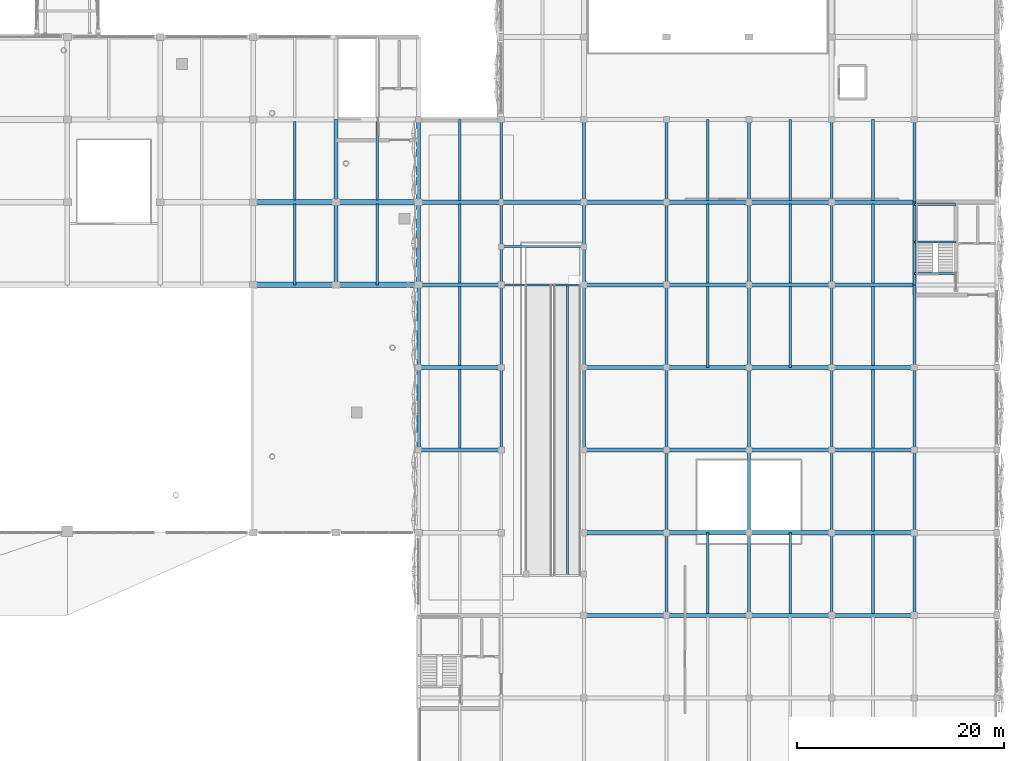
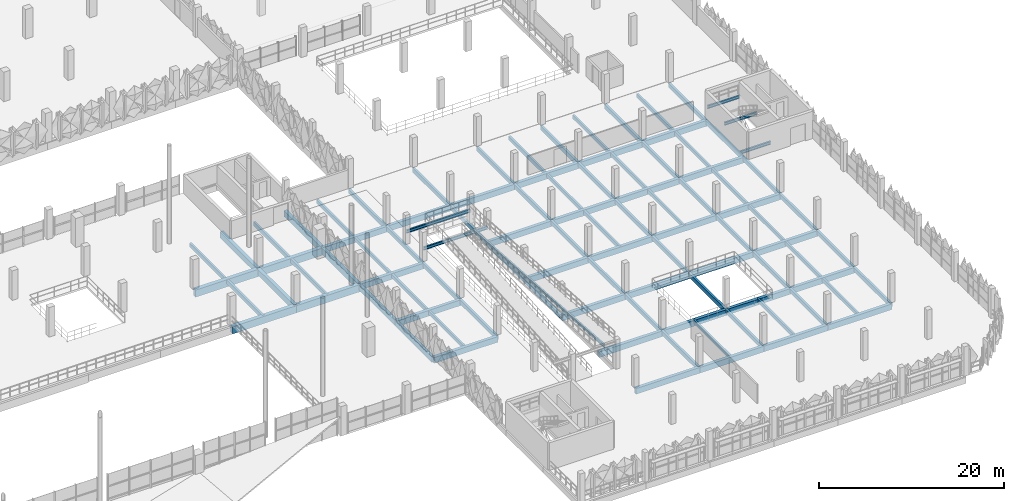
# One storey, part 45 of 123: 99 beams.
"""IFC4 building model written with IfcOpenShell, lengths in metres."""

import ifcopenshell
import ifcopenshell.guid

model = None  # the IFC model being written
_history = None  # IfcOwnerHistory: only IFC2X3 demands one
_inside = {}  # id of a spatial element -> (the spatial element, [elements in it])
_under = {}  # id of a project, library or spatial element -> (it, [spatial elements below it])
_declared = {}  # id of a project -> (the project, [libraries it declares])
_typed = {}  # id of a type object -> (the type object, [elements of that type])
_made_of = {}  # id of a material, layer set ... -> (it, [elements and type objects made of it])


def new_model(schema):
    """Start an empty IFC model of exactly this schema.

    Asked for "IFC4X3", IfcOpenShell would pick the latest addendum, in which some entities
    have other attributes; the version numbers below select the first issue.
    IFC2X3 requires an IfcOwnerHistory on every rooted entity: one is made here for all.
    """
    global model, _history
    if schema == "IFC4X3":
        model = ifcopenshell.file(schema_version=(4, 3, 0, 0))
    else:
        model = ifcopenshell.file(schema=schema)
    _inside.clear()
    _under.clear()
    _declared.clear()
    _typed.clear()
    _made_of.clear()
    _history = None
    if model.schema == "IFC2X3":
        org = make("IfcOrganization", Name="unknown")
        user = make(
            "IfcPersonAndOrganization",
            ThePerson=make("IfcPerson", FamilyName="unknown"),
            TheOrganization=org,
        )
        app = make(
            "IfcApplication",
            ApplicationDeveloper=org,
            Version="unknown",
            ApplicationFullName="unknown",
            ApplicationIdentifier="unknown",
        )
        _history = make(
            "IfcOwnerHistory",
            OwningUser=user,
            OwningApplication=app,
            ChangeAction="ADDED",
            CreationDate=0,
        )
    return model


def make(cls, **values):
    """One entity of the class cls with the attributes given. An attribute that is None is left unset."""
    return model.create_entity(
        cls, **{name: value for name, value in values.items() if value is not None}
    )


def rooted(cls, **values):
    """An entity with a GlobalId (a new one), such as an element, a storey or a relation."""
    return make(cls, GlobalId=ifcopenshell.guid.new(), OwnerHistory=_history, **values)


def si_unit(unit_type, name, prefix=None):
    """IfcSIUnit, for example si_unit("LENGTHUNIT", "METRE", prefix="MILLI")."""
    return make("IfcSIUnit", UnitType=unit_type, Prefix=prefix, Name=name)


def derived_unit(unit_type, elements):
    """IfcDerivedUnit: a product of units, each with its exponent."""
    return make(
        "IfcDerivedUnit",
        Elements=[
            make("IfcDerivedUnitElement", Unit=unit, Exponent=power)
            for unit, power in elements
        ],
        UnitType=unit_type,
    )


def assignment(units):
    """IfcUnitAssignment: the units of a project."""
    return None if units is None else make("IfcUnitAssignment", Units=units)


def point(xyz):
    """IfcCartesianPoint."""
    return None if xyz is None else make("IfcCartesianPoint", Coordinates=xyz)


def direction(xyz):
    """IfcDirection."""
    return None if xyz is None else make("IfcDirection", DirectionRatios=xyz)


def frame(location, z_axis=None, x_axis=None):
    """IfcAxis2Placement3D, a coordinate frame: its origin and axes. An axis left out is left unset."""
    return make(
        "IfcAxis2Placement3D",
        Location=point(location),
        Axis=direction(z_axis),
        RefDirection=direction(x_axis),
    )


def frame_2d(location, x_axis=None):
    """IfcAxis2Placement2D, a coordinate frame in the plane: its origin and x axis."""
    return make(
        "IfcAxis2Placement2D", Location=point(location), RefDirection=direction(x_axis)
    )


def origin():
    """The frame at (0, 0, 0) with its axes left unset."""
    return frame((0.0, 0.0, 0.0))


def origin_2d():
    """The frame at (0, 0) in the plane with its x axis left unset."""
    return frame_2d((0.0, 0.0))


def place(relative_to, where):
    """IfcLocalPlacement: puts the frame where relative to a parent placement (None: the world)."""
    return make(
        "IfcLocalPlacement", PlacementRelTo=relative_to, RelativePlacement=where
    )


def context(
    kind, dimensions, precision=None, world=None, true_north=None, identifier=None
):
    """IfcGeometricRepresentationContext, for example the 3D "Model" context."""
    return make(
        "IfcGeometricRepresentationContext",
        ContextIdentifier=identifier,
        ContextType=kind,
        CoordinateSpaceDimension=dimensions,
        Precision=precision,
        WorldCoordinateSystem=world,
        TrueNorth=true_north,
    )


def subcontext(parent, identifier, kind, view, scale=None):
    """IfcGeometricRepresentationSubContext, for example "Body" below "Model"."""
    return make(
        "IfcGeometricRepresentationSubContext",
        ContextIdentifier=identifier,
        ContextType=kind,
        ParentContext=parent,
        TargetScale=scale,
        TargetView=view,
    )


def project(units=None, contexts=None):
    """IfcProject with its units and contexts."""
    return rooted(
        "IfcProject",
        Name="project",
        RepresentationContexts=contexts,
        UnitsInContext=assignment(units),
    )


def spatial(cls, under=None, at=None, **own):
    """A site, building, storey or space (cls), placed at a placement, below another one or the project."""
    s = rooted(cls, ObjectPlacement=at, **own)
    if under is not None:
        _under.setdefault(under.id(), (under, []))[1].append(s)
    return s


def profile(cls, at=None, kind="AREA", **sizes):
    """A parametric profile (cls). Its sizes go by their IFC names, for example OverallWidth=200.0."""
    return make(cls, ProfileType=kind, Position=at, **sizes)


def rectangle(**sizes):
    """IfcRectangleProfileDef."""
    return profile("IfcRectangleProfileDef", **sizes)


def i_section(**sizes):
    """IfcIShapeProfileDef."""
    return profile("IfcIShapeProfileDef", **sizes)


def extrude(swept, where, along, depth):
    """IfcExtrudedAreaSolid: the profile swept, set in the frame where, extruded along a direction by depth."""
    return make(
        "IfcExtrudedAreaSolid",
        SweptArea=swept,
        Position=where,
        ExtrudedDirection=direction(along),
        Depth=depth,
    )


def shape(context_of_items, identifier, shape_type, items):
    """IfcShapeRepresentation: the items that make up one representation, for example the "Body"."""
    return make(
        "IfcShapeRepresentation",
        ContextOfItems=context_of_items,
        RepresentationIdentifier=identifier,
        RepresentationType=shape_type,
        Items=items,
    )


def material(Name=None, Category=None):
    """IfcMaterial."""
    return make("IfcMaterial", Name=Name, Category=Category)


def material_profile(
    of_material, cross_section, Name=None, Category=None, Priority=None
):
    """IfcMaterialProfile: a cross section and its material."""
    return make(
        "IfcMaterialProfile",
        Name=Name,
        Material=of_material,
        Profile=cross_section,
        Priority=Priority,
        Category=Category,
    )


def profile_set(profiles, Name=None, composite=None):
    """IfcMaterialProfileSet."""
    return make(
        "IfcMaterialProfileSet",
        Name=Name,
        MaterialProfiles=profiles,
        CompositeProfile=composite,
    )


def made_of(thing, what):
    """Note that an element or type object is made of a material, layer set ...; save() writes the relation."""
    if what is not None:
        _made_of.setdefault(what.id(), (what, []))[1].append(thing)
    return thing


def type_object(cls, material=None, **own):
    """A type object (cls), such as IfcWallType, which elements share."""
    return made_of(rooted(cls, **own), material)


def element(
    cls,
    number,
    at=None,
    inside=None,
    cuts=None,
    type_object=None,
    material=None,
    context=None,
    identifier="Body",
    shape_type=None,
    held_by="IfcProductDefinitionShape",
    body=None,
    shapes=None,
    **own,
):
    """One element of the class cls, such as IfcWall. Its Tag is "e" and its number.

    at: its placement. inside: the storey or other place that contains it. cuts: it is an
    opening in that element (IfcRelVoidsElement). A single representation is given by context,
    identifier, shape_type and body (its items); several are given by shapes. held_by: the class
    of the entity that holds the representations. save() writes the other relations.
    """
    e = rooted(cls, Tag="e%d" % number, ObjectPlacement=at, **own)
    if body is not None:
        shapes = [shape(context, identifier, shape_type, body)]
    if shapes is not None:
        e.Representation = make(held_by, Representations=shapes)
    if inside is not None:
        _inside.setdefault(inside.id(), (inside, []))[1].append(e)
    if cuts is not None:
        rooted(
            "IfcRelVoidsElement", RelatingBuildingElement=cuts, RelatedOpeningElement=e
        )
    if type_object is not None:
        _typed.setdefault(type_object.id(), (type_object, []))[1].append(e)
    return made_of(e, material)


def aggregate(whole, parts):
    """IfcRelAggregates: a whole, such as a stair, and the parts it consists of."""
    return rooted("IfcRelAggregates", RelatingObject=whole, RelatedObjects=parts)


def save(model, path):
    """Write the relations noted so far, then the file.

    IfcRelAggregates (storeys below a building ...), IfcRelContainedInSpatialStructure (elements
    in a storey), IfcRelDefinesByType, IfcRelAssociatesMaterial and IfcRelDeclares: one each for
    every whole, place, type object, material and project.
    """
    for whole, parts in _under.values():
        aggregate(whole, parts)
    for where, things in _inside.values():
        rooted(
            "IfcRelContainedInSpatialStructure",
            RelatedElements=things,
            RelatingStructure=where,
        )
    for kind, things in _typed.values():
        rooted("IfcRelDefinesByType", RelatedObjects=things, RelatingType=kind)
    for what, things in _made_of.values():
        rooted("IfcRelAssociatesMaterial", RelatedObjects=things, RelatingMaterial=what)
    for by, libraries in _declared.values():
        rooted("IfcRelDeclares", RelatingContext=by, RelatedDefinitions=libraries)
    model.write(path)


model = new_model("IFC4")

# Units and contexts
model_context = context("Model", 3, precision=1e-05, world=origin(), true_north=direction((0.0, 1.0)))
body_context = subcontext(model_context, "Body", "Model", "MODEL_VIEW")
ifc_project = project(units=[si_unit("LENGTHUNIT", "METRE"), si_unit("AREAUNIT", "SQUARE_METRE"), si_unit("VOLUMEUNIT", "CUBIC_METRE"), si_unit("PLANEANGLEUNIT", "RADIAN"), si_unit("MASSUNIT", "GRAM", prefix="KILO"), si_unit("THERMODYNAMICTEMPERATUREUNIT", "KELVIN"), derived_unit("THERMALTRANSMITTANCEUNIT", [(si_unit("POWERUNIT", "WATT"), 1), (si_unit("AREAUNIT", "SQUARE_METRE"), -1), (si_unit("THERMODYNAMICTEMPERATUREUNIT", "KELVIN"), -1)])], contexts=[model_context])

# Site, building, storey
site_placement = place(None, origin())
site = spatial("IfcSite", under=ifc_project, at=site_placement, CompositionType="ELEMENT")
building_placement = place(site_placement, origin())
building = spatial("IfcBuilding", under=site, at=building_placement, Name="Haiyu Intermodal Mobility Hub", CompositionType="ELEMENT")
storey_placement = place(building_placement, frame((0.0, 0.0, 5.60009765625)))
storey = spatial("IfcBuildingStorey", under=building, at=storey_placement, Name="L01", CompositionType="ELEMENT", Elevation=5.60009765625)

# Beams
ifc_material_1 = material(Name="Concrete C40", Category="concrete")
ifc_material_profile_1 = material_profile(ifc_material_1, rectangle(XDim=0.5, YDim=0.949951171875, at=origin_2d()), Name="RCB500x950")
ifc_profile_set_1 = profile_set([ifc_material_profile_1], Name="Concrete C40")
beam_type_1 = type_object("IfcBeamType", Name="BM-CB01", PredefinedType="BEAM", material=ifc_profile_set_1)
for number, where, z_axis, x_axis, name in (
    (1, (138.0, 64.0, -0.735107421875), (1.0, 0.0, 0.0), (0.0, 1.0, 0.0), "BM-V1G-L01-009"),
    (2, (146.0, 64.0, -0.735107421875), (1.0, 0.0, 0.0), (0.0, 1.0, 0.0), "BM-V1G-L01-010"),
    (3, (138.0, 72.0, -0.735107421875), (1.0, 0.0, 0.0), (0.0, 1.0, 0.0), "BM-V1G-L01-019"),
    (4, (146.0, 72.0, -0.735107421875), (1.0, 0.0, 0.0), (0.0, 1.0, 0.0), "BM-V1G-L01-020"),
):
    element("IfcBeam", number, at=place(storey_placement, frame(where, z_axis=z_axis, x_axis=x_axis)), inside=storey, type_object=beam_type_1, Name=name, PredefinedType="BEAM", context=body_context, shape_type="SweptSolid", body=[
        extrude(rectangle(XDim=0.5, YDim=0.949951171875, at=origin_2d()), origin(), (0.0, 0.0, 1.0), 8.0),
    ])
ifc_material_profile_2 = material_profile(ifc_material_1, rectangle(XDim=0.39990234375, YDim=0.75, at=origin_2d()), Name="RCB400x750")
ifc_profile_set_2 = profile_set([ifc_material_profile_2], Name="Concrete C40")
beam_type_2 = type_object("IfcBeamType", Name="BM-CB03", PredefinedType="BEAM", material=ifc_profile_set_2)
for number, where, z_axis, x_axis, name in (
    (5, (170.0, 32.0, -0.635009765625), (1.0, 0.0, 0.0), (0.0, 1.0, 0.0), "BM-V5G-L01-016"),
    (6, (178.0, 32.0, -0.635009765625), (1.0, 0.0, 0.0), (0.0, 1.0, 0.0), "BM-V5G-L01-017"),
    (7, (186.0, 32.0, -0.635009765625), (1.0, 0.0, 0.0), (0.0, 1.0, 0.0), "BM-V5G-L01-018"),
    (8, (194.0, 32.0, -0.635009765625), (1.0, 0.0, 0.0), (0.0, 1.0, 0.0), "BM-V5G-L01-019"),
    (9, (170.0, 40.0, -0.635009765625), (1.0, 0.0, 0.0), (0.0, 1.0, 0.0), "BM-V5G-L01-023"),
    (10, (178.0, 40.0, -0.635009765625), (1.0, 0.0, 0.0), (0.0, 1.0, 0.0), "BM-V5G-L01-024"),
    (11, (186.0, 40.0, -0.635009765625), (1.0, 0.0, 0.0), (0.0, 1.0, 0.0), "BM-V5G-L01-025"),
    (12, (194.0, 40.0, -0.635009765625), (1.0, 0.0, 0.0), (0.0, 1.0, 0.0), "BM-V5G-L01-026"),
    (13, (154.0, 48.0, -0.635009765625), (1.0, 0.0, 0.0), (0.0, 1.0, 0.0), "BM-V5G-L01-028"),
    (14, (170.0, 48.0, -0.635009765625), (1.0, 0.0, 0.0), (0.0, 1.0, 0.0), "BM-V5G-L01-030"),
    (15, (178.0, 48.0, -0.635009765625), (1.0, 0.0, 0.0), (0.0, 1.0, 0.0), "BM-V5G-L01-031"),
    (16, (186.0, 48.0, -0.635009765625), (1.0, 0.0, 0.0), (0.0, 1.0, 0.0), "BM-V5G-L01-032"),
    (17, (194.0, 48.0, -0.635009765625), (1.0, 0.0, 0.0), (0.0, 1.0, 0.0), "BM-V5G-L01-033"),
    (18, (154.0, 56.0, -0.635009765625), (1.0, 0.0, 0.0), (0.0, 1.0, 0.0), "BM-V5G-L01-035"),
    (19, (170.0, 56.0, -0.635009765625), (1.0, 0.0, 0.0), (0.0, 1.0, 0.0), "BM-V5G-L01-037"),
    (20, (178.0, 56.0, -0.635009765625), (1.0, 0.0, 0.0), (0.0, 1.0, 0.0), "BM-V5G-L01-038"),
    (21, (186.0, 56.0, -0.635009765625), (1.0, 0.0, 0.0), (0.0, 1.0, 0.0), "BM-V5G-L01-039"),
    (22, (194.0, 56.0, -0.635009765625), (1.0, 0.0, 0.0), (0.0, 1.0, 0.0), "BM-V5G-L01-040"),
    (23, (154.0, 64.0, -0.635009765625), (1.0, 0.0, 0.0), (0.0, 1.0, 0.0), "BM-V5G-L01-042"),
    (24, (170.0, 64.0, -0.635009765625), (1.0, 0.0, 0.0), (0.0, 1.0, 0.0), "BM-V5G-L01-044"),
    (25, (178.0, 64.0, -0.635009765625), (1.0, 0.0, 0.0), (0.0, 1.0, 0.0), "BM-V5G-L01-045"),
    (26, (186.0, 64.0, -0.635009765625), (1.0, 0.0, 0.0), (0.0, 1.0, 0.0), "BM-V5G-L01-046"),
    (27, (194.0, 64.0, -0.635009765625), (1.0, 0.0, 0.0), (0.0, 1.0, 0.0), "BM-V5G-L01-047"),
    (28, (154.0, 72.0, -0.635009765625), (1.0, 0.0, 0.0), (0.0, 1.0, 0.0), "BM-V5G-L01-049"),
    (29, (162.0, 72.0, -0.635009765625), (1.0, 0.0, 0.0), (0.0, 1.0, 0.0), "BM-V5G-L01-050"),
    (30, (170.0, 72.0, -0.635009765625), (1.0, 0.0, 0.0), (0.0, 1.0, 0.0), "BM-V5G-L01-051"),
    (31, (178.0, 72.0, -0.635009765625), (1.0, 0.0, 0.0), (0.0, 1.0, 0.0), "BM-V5G-L01-052"),
    (32, (186.0, 72.0, -0.635009765625), (1.0, 0.0, 0.0), (0.0, 1.0, 0.0), "BM-V5G-L01-053"),
    (33, (194.0, 72.0, -0.635009765625), (1.0, 0.0, 0.0), (0.0, 1.0, 0.0), "BM-V5G-L01-054"),
):
    element("IfcBeam", number, at=place(storey_placement, frame(where, z_axis=z_axis, x_axis=x_axis)), inside=storey, type_object=beam_type_2, Name=name, PredefinedType="BEAM", context=body_context, shape_type="SweptSolid", body=[
        extrude(rectangle(XDim=0.39990234375, YDim=0.75, at=origin_2d()), origin(), (0.0, 0.0, 1.0), 8.0),
    ])
ifc_material_profile_3 = material_profile(ifc_material_1, rectangle(XDim=0.35009765625, YDim=0.699951171875, at=origin_2d()), Name="RCB350x700")
ifc_profile_set_3 = profile_set([ifc_material_profile_3], Name="Concrete C40")
beam_type_3 = type_object("IfcBeamType", Name="BM-CB06", PredefinedType="BEAM", material=ifc_profile_set_3)
for number, where, z_axis, x_axis, name in (
    (34, (154.0, 48.0, -0.610107421875), (0.0, 1.0, 0.0), (-1.0, 0.0, 0.0), "BM-V5T-L01-005"),
    (35, (154.0, 56.0, -0.610107421875), (0.0, 1.0, 0.0), (-1.0, 0.0, 0.0), "BM-V5T-L01-006"),
):
    element("IfcBeam", number, at=place(storey_placement, frame(where, z_axis=z_axis, x_axis=x_axis)), inside=storey, type_object=beam_type_3, Name=name, PredefinedType="BEAM", context=body_context, shape_type="SweptSolid", body=[
        extrude(rectangle(XDim=0.35009765625, YDim=0.699951171875, at=origin_2d()), origin(), (0.0, 0.0, 1.0), 8.0),
    ])
ifc_material_profile_4 = material_profile(ifc_material_1, rectangle(XDim=0.280029296875, YDim=0.5400390625, at=origin_2d()), Name="RCB280x540")
ifc_profile_set_4 = profile_set([ifc_material_profile_4], Name="Concrete C40")
beam_type_4 = type_object("IfcBeamType", Name="BM-CB08", PredefinedType="JOIST", material=ifc_profile_set_4)
for number, where, z_axis, x_axis, name in (
    (36, (162.0, 48.0, -0.530029296875), (0.0, 1.0, 0.0), (-1.0, 0.0, 0.0), "BM-V5T-L01-013"),
    (37, (162.0, 56.0, -0.530029296875), (0.0, 1.0, 0.0), (-1.0, 0.0, 0.0), "BM-V5T-L01-014"),
    (38, (162.0, 64.0, -0.530029296875), (0.0, 1.0, 0.0), (-1.0, 0.0, 0.0), "BM-V5T-L01-015"),
    (39, (162.0, 72.0, -0.530029296875), (0.0, 1.0, 0.0), (-1.0, 0.0, 0.0), "BM-V5T-L01-016"),
    (40, (170.0, 48.0, -0.530029296875), (0.0, 1.0, 0.0), (-1.0, 0.0, 0.0), "BM-V5T-L01-021"),
    (41, (170.0, 56.0, -0.530029296875), (0.0, 1.0, 0.0), (-1.0, 0.0, 0.0), "BM-V5T-L01-022"),
    (42, (170.0, 64.0, -0.530029296875), (0.0, 1.0, 0.0), (-1.0, 0.0, 0.0), "BM-V5T-L01-023"),
    (43, (170.0, 72.0, -0.530029296875), (0.0, 1.0, 0.0), (-1.0, 0.0, 0.0), "BM-V5T-L01-024"),
    (44, (178.0, 32.0, -0.530029296875), (0.0, 1.0, 0.0), (-1.0, 0.0, 0.0), "BM-V5T-L01-027"),
    (45, (178.0, 40.0, -0.530029296875), (0.0, 1.0, 0.0), (-1.0, 0.0, 0.0), "BM-V5T-L01-028"),
    (46, (178.0, 48.0, -0.530029296875), (0.0, 1.0, 0.0), (-1.0, 0.0, 0.0), "BM-V5T-L01-029"),
    (47, (178.0, 56.0, -0.530029296875), (0.0, 1.0, 0.0), (-1.0, 0.0, 0.0), "BM-V5T-L01-030"),
    (48, (178.0, 64.0, -0.530029296875), (0.0, 1.0, 0.0), (-1.0, 0.0, 0.0), "BM-V5T-L01-031"),
    (49, (178.0, 72.0, -0.530029296875), (0.0, 1.0, 0.0), (-1.0, 0.0, 0.0), "BM-V5T-L01-032"),
    (50, (186.0, 32.0, -0.530029296875), (0.0, 1.0, 0.0), (-1.0, 0.0, 0.0), "BM-V5T-L01-035"),
    (51, (186.0, 40.0, -0.530029296875), (0.0, 1.0, 0.0), (-1.0, 0.0, 0.0), "BM-V5T-L01-036"),
    (52, (186.0, 48.0, -0.530029296875), (0.0, 1.0, 0.0), (-1.0, 0.0, 0.0), "BM-V5T-L01-037"),
    (53, (186.0, 56.0, -0.530029296875), (0.0, 1.0, 0.0), (-1.0, 0.0, 0.0), "BM-V5T-L01-038"),
    (54, (186.0, 64.0, -0.530029296875), (0.0, 1.0, 0.0), (-1.0, 0.0, 0.0), "BM-V5T-L01-039"),
    (55, (186.0, 72.0, -0.530029296875), (0.0, 1.0, 0.0), (-1.0, 0.0, 0.0), "BM-V5T-L01-040"),
    (56, (194.0, 32.0, -0.530029296875), (0.0, 1.0, 0.0), (-1.0, 0.0, 0.0), "BM-V5T-L01-043"),
    (57, (194.0, 40.0, -0.530029296875), (0.0, 1.0, 0.0), (-1.0, 0.0, 0.0), "BM-V5T-L01-044"),
    (58, (194.0, 48.0, -0.530029296875), (0.0, 1.0, 0.0), (-1.0, 0.0, 0.0), "BM-V5T-L01-045"),
    (59, (194.0, 56.0, -0.530029296875), (0.0, 1.0, 0.0), (-1.0, 0.0, 0.0), "BM-V5T-L01-046"),
    (60, (194.0, 64.0, -0.530029296875), (0.0, 1.0, 0.0), (-1.0, 0.0, 0.0), "BM-V5T-L01-047"),
    (61, (194.0, 72.0, -0.530029296875), (0.0, 1.0, 0.0), (-1.0, 0.0, 0.0), "BM-V5T-L01-048"),
    (62, (202.0, 32.0, -0.530029296875), (0.0, 1.0, 0.0), (-1.0, 0.0, 0.0), "BM-V5T-L01-051"),
    (63, (202.0, 40.0, -0.530029296875), (0.0, 1.0, 0.0), (-1.0, 0.0, 0.0), "BM-V5T-L01-052"),
    (64, (202.0, 48.0, -0.530029296875), (0.0, 1.0, 0.0), (-1.0, 0.0, 0.0), "BM-V5T-L01-053"),
    (65, (202.0, 56.0, -0.530029296875), (0.0, 1.0, 0.0), (-1.0, 0.0, 0.0), "BM-V5T-L01-054"),
    (66, (202.0, 64.0, -0.530029296875), (0.0, 1.0, 0.0), (-1.0, 0.0, 0.0), "BM-V5T-L01-055"),
    (67, (202.0, 72.0, -0.530029296875), (0.0, 1.0, 0.0), (-1.0, 0.0, 0.0), "BM-V5T-L01-056"),
):
    element("IfcBeam", number, at=place(storey_placement, frame(where, z_axis=z_axis, x_axis=x_axis)), inside=storey, type_object=beam_type_4, Name=name, PredefinedType="JOIST", context=body_context, shape_type="SweptSolid", body=[
        extrude(rectangle(XDim=0.280029296875, YDim=0.5400390625, at=origin_2d()), origin(), (0.0, 0.0, 1.0), 8.0),
    ])
ifc_material_profile_5 = material_profile(ifc_material_1, rectangle(XDim=0.25, YDim=0.47998046875, at=origin_2d()), Name="RCB250x480")
ifc_profile_set_5 = profile_set([ifc_material_profile_5], Name="Concrete C40")
beam_type_5 = type_object("IfcBeamType", Name="BM-CB09", PredefinedType="JOIST", material=ifc_profile_set_5)
for number, where, z_axis, x_axis, name in (
    (68, (158.0, 48.18505859375, -0.5), (0.0, 1.0, 0.0), (-1.0, 0.0, 0.0), "BM-V5J-L01-005"),
    (69, (158.0, 56.18505859375, -0.5), (0.0, 1.0, 0.0), (-1.0, 0.0, 0.0), "BM-V5J-L01-006"),
    (70, (158.0, 64.18505859375, -0.5), (0.0, 1.0, 0.0), (-1.0, 0.0, 0.0), "BM-V5J-L01-007"),
):
    element("IfcBeam", number, at=place(storey_placement, frame(where, z_axis=z_axis, x_axis=x_axis)), inside=storey, type_object=beam_type_5, Name=name, PredefinedType="JOIST", context=body_context, shape_type="SweptSolid", body=[
        extrude(rectangle(XDim=0.25, YDim=0.47998046875, at=origin_2d()), origin(), (0.0, 0.0, 1.0), 7.6298828125),
    ])
for number, where, z_axis, x_axis, name in (
    (71, (158.0, 72.18505859375, -0.5), (0.0, 1.0, 0.0), (-1.0, 0.0, 0.0), "BM-V5J-L01-008"),
    (72, (182.0, 32.18505859375, -0.5), (0.0, 1.0, 0.0), (-1.0, 0.0, 0.0), "BM-V5J-L01-011"),
    (73, (182.0, 56.0, -0.5), (0.0, 1.0, 0.0), (-1.0, 0.0, 0.0), "BM-V5J-L01-012"),
):
    element("IfcBeam", number, at=place(storey_placement, frame(where, z_axis=z_axis, x_axis=x_axis)), inside=storey, type_object=beam_type_5, Name=name, PredefinedType="JOIST", context=body_context, shape_type="SweptSolid", body=[
        extrude(rectangle(XDim=0.25, YDim=0.47998046875, at=origin_2d()), origin(), (0.0, 0.0, 1.0), 7.81494140625),
    ])
beam_1_placement = place(storey_placement, frame((182.0, 64.18505859375, -0.5), z_axis=(0.0, 1.0, 0.0), x_axis=(-1.0, 0.0, 0.0)))
element("IfcBeam", 74, at=beam_1_placement, inside=storey, type_object=beam_type_5, Name="BM-V5J-L01-013", PredefinedType="JOIST", context=body_context, shape_type="SweptSolid", body=[
    extrude(rectangle(XDim=0.25, YDim=0.47998046875, at=origin_2d()), origin(), (0.0, 0.0, 1.0), 7.6298828125),
])
for number, where, z_axis, x_axis, name in (
    (75, (182.0, 72.18505859375, -0.5), (0.0, 1.0, 0.0), (-1.0, 0.0, 0.0), "BM-V5J-L01-014"),
    (76, (190.0, 32.18505859375, -0.5), (0.0, 1.0, 0.0), (-1.0, 0.0, 0.0), "BM-V5J-L01-017"),
    (77, (190.0, 56.0, -0.5), (0.0, 1.0, 0.0), (-1.0, 0.0, 0.0), "BM-V5J-L01-018"),
):
    element("IfcBeam", number, at=place(storey_placement, frame(where, z_axis=z_axis, x_axis=x_axis)), inside=storey, type_object=beam_type_5, Name=name, PredefinedType="JOIST", context=body_context, shape_type="SweptSolid", body=[
        extrude(rectangle(XDim=0.25, YDim=0.47998046875, at=origin_2d()), origin(), (0.0, 0.0, 1.0), 7.81494140625),
    ])
beam_2_placement = place(storey_placement, frame((190.0, 64.18505859375, -0.5), z_axis=(0.0, 1.0, 0.0), x_axis=(-1.0, 0.0, 0.0)))
element("IfcBeam", 78, at=beam_2_placement, inside=storey, type_object=beam_type_5, Name="BM-V5J-L01-019", PredefinedType="JOIST", context=body_context, shape_type="SweptSolid", body=[
    extrude(rectangle(XDim=0.25, YDim=0.47998046875, at=origin_2d()), origin(), (0.0, 0.0, 1.0), 7.6298828125),
])
beam_3_placement = place(storey_placement, frame((190.0, 72.18505859375, -0.5), z_axis=(0.0, 1.0, 0.0), x_axis=(-1.0, 0.0, 0.0)))
element("IfcBeam", 79, at=beam_3_placement, inside=storey, type_object=beam_type_5, Name="BM-V5J-L01-020", PredefinedType="JOIST", context=body_context, shape_type="SweptSolid", body=[
    extrude(rectangle(XDim=0.25, YDim=0.47998046875, at=origin_2d()), origin(), (0.0, 0.0, 1.0), 7.81494140625),
])
for number, where, z_axis, x_axis, name in (
    (80, (198.0, 32.18505859375, -0.5), (0.0, 1.0, 0.0), (-1.0, 0.0, 0.0), "BM-V5J-L01-023"),
    (81, (198.0, 40.18505859375, -0.5), (0.0, 1.0, 0.0), (-1.0, 0.0, 0.0), "BM-V5J-L01-024"),
    (82, (198.0, 48.18505859375, -0.5), (0.0, 1.0, 0.0), (-1.0, 0.0, 0.0), "BM-V5J-L01-025"),
    (83, (198.0, 56.18505859375, -0.5), (0.0, 1.0, 0.0), (-1.0, 0.0, 0.0), "BM-V5J-L01-026"),
    (84, (198.0, 64.18505859375, -0.5), (0.0, 1.0, 0.0), (-1.0, 0.0, 0.0), "BM-V5J-L01-027"),
):
    element("IfcBeam", number, at=place(storey_placement, frame(where, z_axis=z_axis, x_axis=x_axis)), inside=storey, type_object=beam_type_5, Name=name, PredefinedType="JOIST", context=body_context, shape_type="SweptSolid", body=[
        extrude(rectangle(XDim=0.25, YDim=0.47998046875, at=origin_2d()), origin(), (0.0, 0.0, 1.0), 7.6298828125),
    ])
beam_4_placement = place(storey_placement, frame((198.0, 72.18505859375, -0.5), z_axis=(0.0, 1.0, 0.0), x_axis=(-1.0, 0.0, 0.0)))
element("IfcBeam", 85, at=beam_4_placement, inside=storey, type_object=beam_type_5, Name="BM-V5J-L01-028", PredefinedType="JOIST", context=body_context, shape_type="SweptSolid", body=[
    extrude(rectangle(XDim=0.25, YDim=0.47998046875, at=origin_2d()), origin(), (0.0, 0.0, 1.0), 7.81494140625),
])
ifc_material_profile_6 = material_profile(ifc_material_1, rectangle(XDim=0.419921875, YDim=0.780029296875, at=origin_2d()), Name="B420x780")
ifc_profile_set_6 = profile_set([ifc_material_profile_6], Name="Concrete C40")
beam_type_6 = type_object("IfcBeamType", Name="BM-CB14", PredefinedType="BEAM", material=ifc_profile_set_6)
for number, where, z_axis, x_axis, name in (
    (86, (146.0, 64.0, -0.650146484375), (0.0, 1.0, 0.0), (-1.0, 0.0, 0.0), "BM-V1T-L01-028"),
    (87, (146.0, 72.0, -0.650146484375), (0.0, 1.0, 0.0), (-1.0, 0.0, 0.0), "BM-V1T-L01-029"),
    (88, (154.0, 64.0, -0.650146484375), (0.0, 1.0, 0.0), (-1.0, 0.0, 0.0), "BM-V1T-L01-031"),
    (89, (154.0, 72.0, -0.650146484375), (0.0, 1.0, 0.0), (-1.0, 0.0, 0.0), "BM-V1T-L01-032"),
):
    element("IfcBeam", number, at=place(storey_placement, frame(where, z_axis=z_axis, x_axis=x_axis)), inside=storey, type_object=beam_type_6, Name=name, PredefinedType="BEAM", context=body_context, shape_type="SweptSolid", body=[
        extrude(rectangle(XDim=0.419921875, YDim=0.780029296875, at=origin_2d()), origin(), (0.0, 0.0, 1.0), 8.0),
    ])
ifc_material_profile_7 = material_profile(ifc_material_1, rectangle(XDim=0.260009765625, YDim=0.52001953125, at=origin_2d()), Name="B260x520")
ifc_profile_set_7 = profile_set([ifc_material_profile_7], Name="Concrete C40")
beam_type_7 = type_object("IfcBeamType", Name="BM-CB18", PredefinedType="JOIST", material=ifc_profile_set_7)
beam_5_placement = place(storey_placement, frame((142.0, 64.0, -0.52001953125), z_axis=(0.0, 1.0, 0.0), x_axis=(-1.0, 0.0, 0.0)))
element("IfcBeam", 90, at=beam_5_placement, inside=storey, type_object=beam_type_7, Name="BM-V1J-L01-025", PredefinedType="JOIST", context=body_context, shape_type="SweptSolid", body=[
    extrude(rectangle(XDim=0.260009765625, YDim=0.52001953125, at=origin_2d()), origin(), (0.0, 0.0, 1.0), 7.804931640625),
])
beam_6_placement = place(storey_placement, frame((142.0, 72.195068359375, -0.52001953125), z_axis=(0.0, 1.0, 0.0), x_axis=(-1.0, 0.0, 0.0)))
element("IfcBeam", 91, at=beam_6_placement, inside=storey, type_object=beam_type_7, Name="BM-V1J-L01-026", PredefinedType="JOIST", context=body_context, shape_type="SweptSolid", body=[
    extrude(rectangle(XDim=0.260009765625, YDim=0.52001953125, at=origin_2d()), origin(), (0.0, 0.0, 1.0), 7.60986328125),
])
beam_7_placement = place(storey_placement, frame((150.0, 64.0, -0.52001953125), z_axis=(0.0, 1.0, 0.0), x_axis=(-1.0, 0.0, 0.0)))
element("IfcBeam", 92, at=beam_7_placement, inside=storey, type_object=beam_type_7, Name="BM-V1J-L01-028", PredefinedType="JOIST", context=body_context, shape_type="SweptSolid", body=[
    extrude(rectangle(XDim=0.260009765625, YDim=0.52001953125, at=origin_2d()), origin(), (0.0, 0.0, 1.0), 7.804931640625),
])
beam_8_placement = place(storey_placement, frame((150.0, 72.195068359375, -0.52001953125), z_axis=(0.0, 1.0, 0.0), x_axis=(-1.0, 0.0, 0.0)))
element("IfcBeam", 93, at=beam_8_placement, inside=storey, type_object=beam_type_7, Name="BM-V1J-L01-029", PredefinedType="JOIST", context=body_context, shape_type="SweptSolid", body=[
    extrude(rectangle(XDim=0.260009765625, YDim=0.52001953125, at=origin_2d()), origin(), (0.0, 0.0, 1.0), 7.60986328125),
])
ifc_material_2 = material(Name="Steel Q355C", Category="steel")
ifc_material_profile_8 = material_profile(ifc_material_2, i_section(OverallWidth=0.199951171875, OverallDepth=0.39990234375, WebThickness=0.008056640625, FlangeThickness=0.012939453125, FilletRadius=0.01611328125, at=origin_2d()), Name="HN400x200x8x13")
ifc_profile_set_8 = profile_set([ifc_material_profile_8], Name="Steel Q355C")
beam_type_8 = type_object("IfcBeamType", Name="BM-SB08", PredefinedType="JOIST", material=ifc_profile_set_8)
for number, where, z_axis, x_axis, name in (
    (94, (162.0, 64.0, 1.539794921875), (1.0, 0.0, 0.0), (0.0, 1.0, 0.0), "BM-BRMP1-L01"),
    (95, (162.0, 67.699951171875, 1.539794921875), (1.0, 0.0, 0.0), (0.0, 1.0, 0.0), "BM-BRMP2-L01"),
):
    element("IfcBeam", number, at=place(storey_placement, frame(where, z_axis=z_axis, x_axis=x_axis)), inside=storey, type_object=beam_type_8, Name=name, PredefinedType="JOIST", context=body_context, shape_type="SweptSolid", body=[
        extrude(i_section(OverallWidth=0.199951171875, OverallDepth=0.39990234375, WebThickness=0.008056640625, FlangeThickness=0.012939453125, FilletRadius=0.01611328125, at=origin_2d()), origin(), (0.0, 0.0, 1.0), 8.0),
    ])
beam_9_placement = place(storey_placement, frame((168.39990234375, 64.0, 1.56982421875), z_axis=(0.0, -0.99760881849, 0.069113278539), x_axis=(1.0, 0.0, 0.0)))
element("IfcBeam", 96, at=beam_9_placement, inside=storey, type_object=beam_type_8, Name="BM-BRMPS-L01", PredefinedType="JOIST", context=body_context, shape_type="SweptSolid", body=[
    extrude(i_section(OverallWidth=0.199951171875, OverallDepth=0.39990234375, WebThickness=0.008056640625, FlangeThickness=0.012939453125, FilletRadius=0.01611328125, at=origin_2d()), origin(), (0.0, 0.0, 1.0), 28.21728515625),
])
for number, where, z_axis, x_axis, name in (
    (97, (202.0, 65.10009765625, -0.525146484375), (1.0, 0.0, 0.0), (0.0, 1.0, 0.0), "Stair Arrival Trimmer Beam C9-L00"),
    (98, (202.0, 68.1298828125, 1.52490234375), (1.0, 0.0, 0.0), (0.0, 1.0, 0.0), "Stair Half-Landing Front Beam C9-L01"),
    (99, (202.0, 71.780029296875, 1.52490234375), (1.0, 0.0, 0.0), (0.0, 1.0, 0.0), "Stair Half-Landing Rear Beam C9-L01"),
):
    element("IfcBeam", number, at=place(storey_placement, frame(where, z_axis=z_axis, x_axis=x_axis)), inside=storey, type_object=beam_type_8, Name=name, PredefinedType="JOIST", context=body_context, shape_type="SweptSolid", body=[
        extrude(i_section(OverallWidth=0.199951171875, OverallDepth=0.39990234375, WebThickness=0.008056640625, FlangeThickness=0.012939453125, FilletRadius=0.01611328125, at=origin_2d()), origin(), (0.0, 0.0, 1.0), 4.050048828125),
    ])

save(model, "model.ifc")
